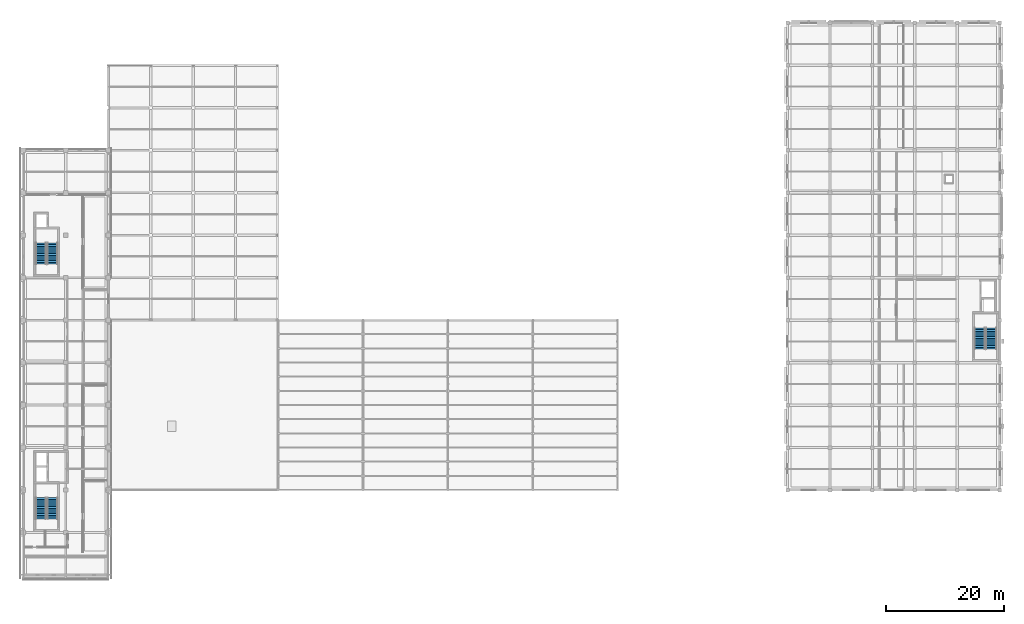
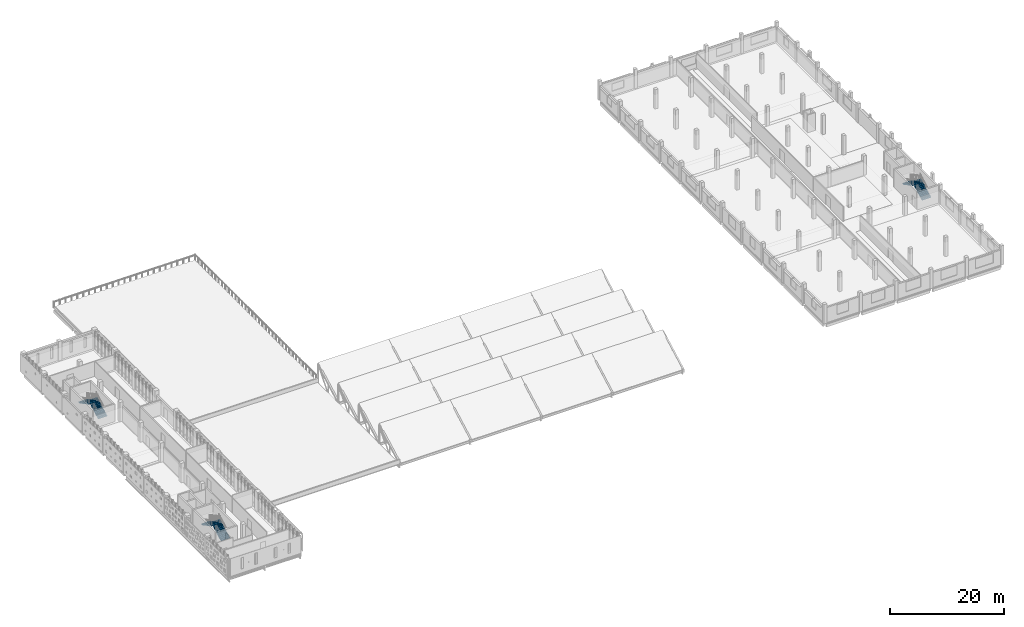
# One storey, part 40 of 51: 6 stair flights, 3 elements without a shape of their own.
"""IFC4 building model written with IfcOpenShell, lengths in metres."""

from ifc_helpers import new_model, si_unit, direction, frame, origin, place, context, subcontext, project, spatial, polyline, outline, extrude, material, type_object, element, aggregate, save


model = new_model("IFC4")

# Units and contexts
model_context = context("Model", 3, precision=1e-05, world=origin(), true_north=direction((0.0, 1.0)))
body_context = subcontext(model_context, "Body", "Model", "MODEL_VIEW")
ifc_project = project(units=[si_unit("LENGTHUNIT", "METRE"), si_unit("AREAUNIT", "SQUARE_METRE"), si_unit("VOLUMEUNIT", "CUBIC_METRE"), si_unit("PLANEANGLEUNIT", "RADIAN"), si_unit("MASSUNIT", "GRAM", prefix="KILO")], contexts=[model_context])

# Site, building, storey
site_placement = place(None, origin())
site = spatial("IfcSite", under=ifc_project, at=site_placement, CompositionType="ELEMENT")
building_placement = place(site_placement, origin())
building = spatial("IfcBuilding", under=site, at=building_placement, Name="Valkovuoma Quantum and Materials Research Institute", CompositionType="ELEMENT")
storey_placement = place(building_placement, frame((0.0, 0.0, 17.280029296875)))
storey = spatial("IfcBuildingStorey", under=building, at=storey_placement, Name="L04", CompositionType="ELEMENT", Elevation=17.280029296875)

# Stair, stair flights
ifc_material_1 = material(Name="Concrete C40/50", Category="concrete")
stair_type = type_object("IfcStairType", Name="Stair-ST-COR", PredefinedType="HALF_TURN_STAIR", material=ifc_material_1)
stair_1_placement = place(storey_placement, origin())
stair_1 = element("IfcStair", 1, at=stair_1_placement, inside=storey, type_object=stair_type, Name="L04 Exit Stair ST-1", PredefinedType="HALF_TURN_STAIR")
ifc_material_2 = material(Name="Concrete C40/50", Category="concrete")
stair_flight_type = type_object("IfcStairFlightType", Name="Flight-STF-145", PredefinedType="STRAIGHT", material=ifc_material_2)
stair_flight_1_placement = place(storey_placement, frame((4.949951171875, 31.10009765625, 0.0), z_axis=(0.0, 0.0, 1.0), x_axis=(0.0, 1.0, 0.0)))
stair_flight_1 = element("IfcStairFlight", 2, at=stair_flight_1_placement, type_object=stair_flight_type, Name="ST-1 flight 1", NumberOfRisers=13, NumberOfTreads=12, PredefinedType="STRAIGHT", RiserHeight=0.16, TreadLength=0.3, context=body_context, shape_type="SweptSolid", body=[
    extrude(outline(polyline([(0.0, 0.0), (0.0, 0.159912109375), (0.300048828125, 0.159912109375), (0.300048828125, 0.320068359375), (0.60009765625, 0.320068359375), (0.60009765625, 0.47998046875), (0.89990234375, 0.47998046875), (0.89990234375, 0.639892578125), (1.199951171875, 0.639892578125), (1.199951171875, 0.800048828125), (1.5, 0.800048828125), (1.5, 0.9599609375), (1.800048828125, 0.9599609375), (1.800048828125, 1.1201171875), (2.10009765625, 1.1201171875), (2.10009765625, 1.280029296875), (2.39990234375, 1.280029296875), (2.39990234375, 1.43994140625), (2.699951171875, 1.43994140625), (2.699951171875, 1.60009765625), (3.0, 1.60009765625), (3.0, 1.760009765625), (3.300048828125, 1.760009765625), (3.300048828125, 1.919921875), (3.60009765625, 1.919921875), (3.60009765625, 2.080078125), (3.60009765625, 1.75), (0.318603515625, 0.0), (0.0, 0.0)])), frame((0.0, 0.89990234375, 0.0), z_axis=(0.0, -1.0, 0.0), x_axis=(1.0, 0.0, 0.0)), (0.0, 0.0, 1.0), 1.800048828125),
])
stair_flight_2_placement = place(storey_placement, frame((3.0, 34.699951171875, 2.080078125), z_axis=(0.0, 0.0, 1.0), x_axis=(0.0, -1.0, 0.0)))
stair_flight_2 = element("IfcStairFlight", 3, at=stair_flight_2_placement, type_object=stair_flight_type, Name="ST-1 flight 2", NumberOfRisers=13, NumberOfTreads=12, PredefinedType="STRAIGHT", RiserHeight=0.16, TreadLength=0.3, context=body_context, shape_type="SweptSolid", body=[
    extrude(outline(polyline([(0.0, 0.0), (0.0, 0.159912109375), (0.300048828125, 0.159912109375), (0.300048828125, 0.320068359375), (0.60009765625, 0.320068359375), (0.60009765625, 0.47998046875), (0.89990234375, 0.47998046875), (0.89990234375, 0.639892578125), (1.199951171875, 0.639892578125), (1.199951171875, 0.800048828125), (1.5, 0.800048828125), (1.5, 0.9599609375), (1.800048828125, 0.9599609375), (1.800048828125, 1.1201171875), (2.10009765625, 1.1201171875), (2.10009765625, 1.280029296875), (2.39990234375, 1.280029296875), (2.39990234375, 1.43994140625), (2.699951171875, 1.43994140625), (2.699951171875, 1.60009765625), (3.0, 1.60009765625), (3.0, 1.760009765625), (3.300048828125, 1.760009765625), (3.300048828125, 1.919921875), (3.60009765625, 1.919921875), (3.60009765625, 2.080078125), (3.60009765625, 1.75), (0.318603515625, 0.0), (0.0, 0.0)])), frame((0.0, 0.89990234375, 0.0), z_axis=(0.0, -1.0, 0.0), x_axis=(1.0, 0.0, 0.0)), (0.0, 0.0, 1.0), 1.800048828125),
])
aggregate(stair_1, [stair_flight_1, stair_flight_2])

stair_2_placement = place(storey_placement, origin())
stair_2 = element("IfcStair", 4, at=stair_2_placement, inside=storey, type_object=stair_type, Name="L04 Exit Stair ST-2", PredefinedType="HALF_TURN_STAIR")
stair_flight_3_placement = place(storey_placement, frame((4.949951171875, 74.300048828125, 0.0), z_axis=(0.0, 0.0, 1.0), x_axis=(0.0, 1.0, 0.0)))
stair_flight_3 = element("IfcStairFlight", 5, at=stair_flight_3_placement, type_object=stair_flight_type, Name="ST-2 flight 1", NumberOfRisers=13, NumberOfTreads=12, PredefinedType="STRAIGHT", RiserHeight=0.16, TreadLength=0.3, context=body_context, shape_type="SweptSolid", body=[
    extrude(outline(polyline([(0.0, 0.0), (0.0, 0.159912109375), (0.300048828125, 0.159912109375), (0.300048828125, 0.320068359375), (0.60009765625, 0.320068359375), (0.60009765625, 0.47998046875), (0.89990234375, 0.47998046875), (0.89990234375, 0.639892578125), (1.199951171875, 0.639892578125), (1.199951171875, 0.800048828125), (1.5, 0.800048828125), (1.5, 0.9599609375), (1.800048828125, 0.9599609375), (1.800048828125, 1.1201171875), (2.10009765625, 1.1201171875), (2.10009765625, 1.280029296875), (2.39990234375, 1.280029296875), (2.39990234375, 1.43994140625), (2.699951171875, 1.43994140625), (2.699951171875, 1.60009765625), (3.0, 1.60009765625), (3.0, 1.760009765625), (3.300048828125, 1.760009765625), (3.300048828125, 1.919921875), (3.60009765625, 1.919921875), (3.60009765625, 2.080078125), (3.60009765625, 1.75), (0.318603515625, 0.0), (0.0, 0.0)])), frame((0.0, 0.89990234375, 0.0), z_axis=(0.0, -1.0, 0.0), x_axis=(1.0, 0.0, 0.0)), (0.0, 0.0, 1.0), 1.800048828125),
])
stair_flight_4_placement = place(storey_placement, frame((3.0, 77.89990234375, 2.080078125), z_axis=(0.0, 0.0, 1.0), x_axis=(0.0, -1.0, 0.0)))
stair_flight_4 = element("IfcStairFlight", 6, at=stair_flight_4_placement, type_object=stair_flight_type, Name="ST-2 flight 2", NumberOfRisers=13, NumberOfTreads=12, PredefinedType="STRAIGHT", RiserHeight=0.16, TreadLength=0.3, context=body_context, shape_type="SweptSolid", body=[
    extrude(outline(polyline([(0.0, 0.0), (0.0, 0.159912109375), (0.300048828125, 0.159912109375), (0.300048828125, 0.320068359375), (0.60009765625, 0.320068359375), (0.60009765625, 0.47998046875), (0.89990234375, 0.47998046875), (0.89990234375, 0.639892578125), (1.199951171875, 0.639892578125), (1.199951171875, 0.800048828125), (1.5, 0.800048828125), (1.5, 0.9599609375), (1.800048828125, 0.9599609375), (1.800048828125, 1.1201171875), (2.10009765625, 1.1201171875), (2.10009765625, 1.280029296875), (2.39990234375, 1.280029296875), (2.39990234375, 1.43994140625), (2.699951171875, 1.43994140625), (2.699951171875, 1.60009765625), (3.0, 1.60009765625), (3.0, 1.760009765625), (3.300048828125, 1.760009765625), (3.300048828125, 1.919921875), (3.60009765625, 1.919921875), (3.60009765625, 2.080078125), (3.60009765625, 1.75), (0.318603515625, 0.0), (0.0, 0.0)])), frame((0.0, 0.89990234375, 0.0), z_axis=(0.0, -1.0, 0.0), x_axis=(1.0, 0.0, 0.0)), (0.0, 0.0, 1.0), 1.800048828125),
])
aggregate(stair_2, [stair_flight_3, stair_flight_4])

stair_3_placement = place(storey_placement, origin())
stair_3 = element("IfcStair", 7, at=stair_3_placement, inside=storey, type_object=stair_type, Name="L04 Exit Stair ST-3", PredefinedType="HALF_TURN_STAIR")
stair_flight_5_placement = place(storey_placement, frame((164.14990234375, 59.89990234375, 0.0), z_axis=(0.0, 0.0, 1.0), x_axis=(0.0, 1.0, 0.0)))
stair_flight_5 = element("IfcStairFlight", 8, at=stair_flight_5_placement, type_object=stair_flight_type, Name="ST-3 flight 1", NumberOfRisers=13, NumberOfTreads=12, PredefinedType="STRAIGHT", RiserHeight=0.16, TreadLength=0.3, context=body_context, shape_type="SweptSolid", body=[
    extrude(outline(polyline([(0.0, 0.0), (0.0, 0.159912109375), (0.300048828125, 0.159912109375), (0.300048828125, 0.320068359375), (0.60009765625, 0.320068359375), (0.60009765625, 0.47998046875), (0.89990234375, 0.47998046875), (0.89990234375, 0.639892578125), (1.199951171875, 0.639892578125), (1.199951171875, 0.800048828125), (1.5, 0.800048828125), (1.5, 0.9599609375), (1.800048828125, 0.9599609375), (1.800048828125, 1.1201171875), (2.10009765625, 1.1201171875), (2.10009765625, 1.280029296875), (2.39990234375, 1.280029296875), (2.39990234375, 1.43994140625), (2.699951171875, 1.43994140625), (2.699951171875, 1.60009765625), (3.0, 1.60009765625), (3.0, 1.760009765625), (3.300048828125, 1.760009765625), (3.300048828125, 1.919921875), (3.60009765625, 1.919921875), (3.60009765625, 2.080078125), (3.60009765625, 1.75), (0.318603515625, 0.0), (0.0, 0.0)])), frame((0.0, 0.89990234375, 0.0), z_axis=(0.0, -1.0, 0.0), x_axis=(1.0, 0.0, 0.0)), (0.0, 0.0, 1.0), 1.800048828125),
])
stair_flight_6_placement = place(storey_placement, frame((162.199951171875, 63.5, 2.080078125), z_axis=(0.0, 0.0, 1.0), x_axis=(0.0, -1.0, 0.0)))
stair_flight_6 = element("IfcStairFlight", 9, at=stair_flight_6_placement, type_object=stair_flight_type, Name="ST-3 flight 2", NumberOfRisers=13, NumberOfTreads=12, PredefinedType="STRAIGHT", RiserHeight=0.16, TreadLength=0.3, context=body_context, shape_type="SweptSolid", body=[
    extrude(outline(polyline([(0.0, 0.0), (0.0, 0.159912109375), (0.300048828125, 0.159912109375), (0.300048828125, 0.320068359375), (0.60009765625, 0.320068359375), (0.60009765625, 0.47998046875), (0.89990234375, 0.47998046875), (0.89990234375, 0.639892578125), (1.199951171875, 0.639892578125), (1.199951171875, 0.800048828125), (1.5, 0.800048828125), (1.5, 0.9599609375), (1.800048828125, 0.9599609375), (1.800048828125, 1.1201171875), (2.10009765625, 1.1201171875), (2.10009765625, 1.280029296875), (2.39990234375, 1.280029296875), (2.39990234375, 1.43994140625), (2.699951171875, 1.43994140625), (2.699951171875, 1.60009765625), (3.0, 1.60009765625), (3.0, 1.760009765625), (3.300048828125, 1.760009765625), (3.300048828125, 1.919921875), (3.60009765625, 1.919921875), (3.60009765625, 2.080078125), (3.60009765625, 1.75), (0.318603515625, 0.0), (0.0, 0.0)])), frame((0.0, 0.89990234375, 0.0), z_axis=(0.0, -1.0, 0.0), x_axis=(1.0, 0.0, 0.0)), (0.0, 0.0, 1.0), 1.800048828125),
])
aggregate(stair_3, [stair_flight_5, stair_flight_6])

save(model, "model.ifc")
